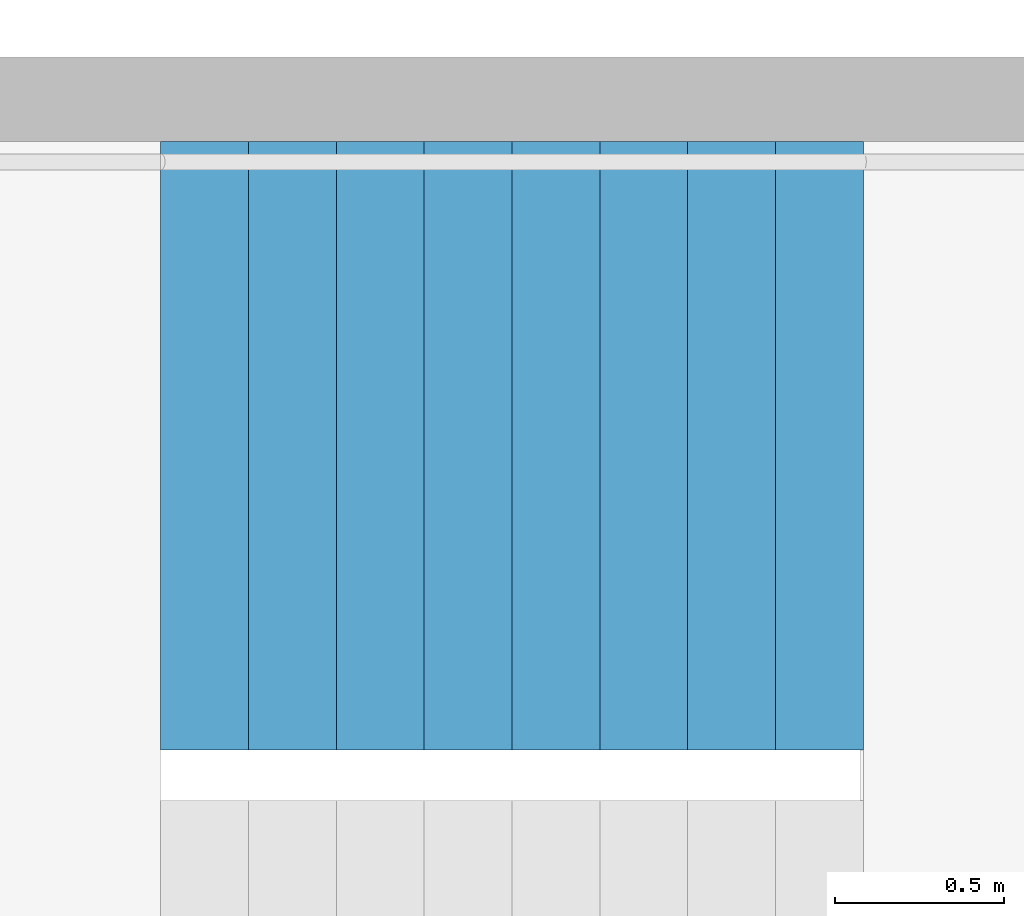
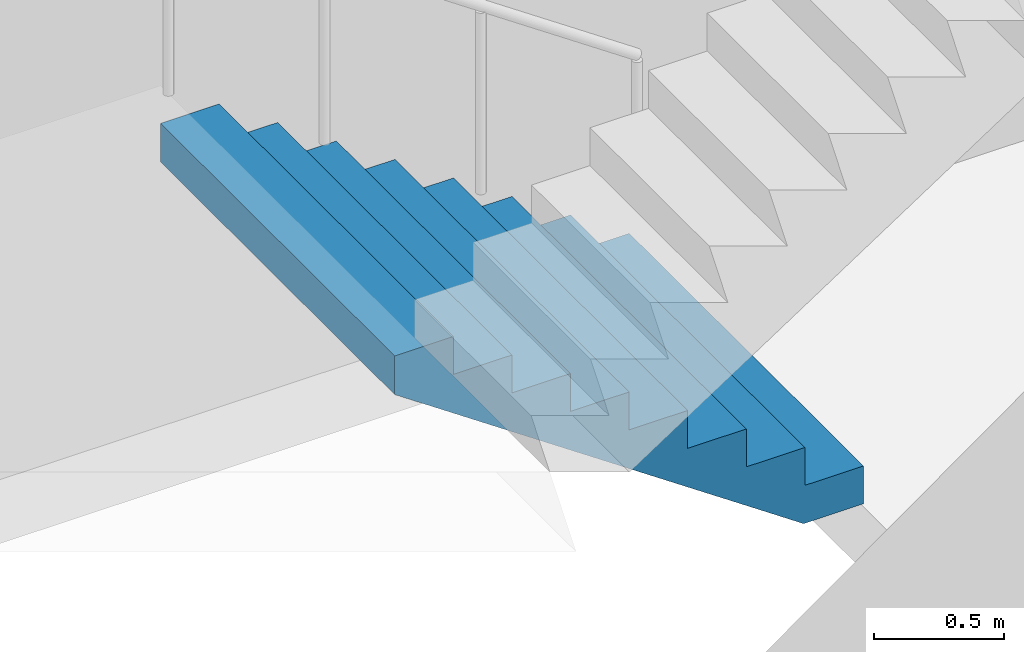
# One storey, part 18 of 42: 1 stair flight, 1 element without a shape of its own.
"""IFC4 building model written with IfcOpenShell, lengths in metres."""

import ifcopenshell
import ifcopenshell.guid

model = None  # the IFC model being written
_history = None  # IfcOwnerHistory: only IFC2X3 demands one
_inside = {}  # id of a spatial element -> (the spatial element, [elements in it])
_under = {}  # id of a project, library or spatial element -> (it, [spatial elements below it])
_declared = {}  # id of a project -> (the project, [libraries it declares])
_typed = {}  # id of a type object -> (the type object, [elements of that type])
_made_of = {}  # id of a material, layer set ... -> (it, [elements and type objects made of it])


def new_model(schema):
    """Start an empty IFC model of exactly this schema.

    Asked for "IFC4X3", IfcOpenShell would pick the latest addendum, in which some entities
    have other attributes; the version numbers below select the first issue.
    IFC2X3 requires an IfcOwnerHistory on every rooted entity: one is made here for all.
    """
    global model, _history
    if schema == "IFC4X3":
        model = ifcopenshell.file(schema_version=(4, 3, 0, 0))
    else:
        model = ifcopenshell.file(schema=schema)
    _inside.clear()
    _under.clear()
    _declared.clear()
    _typed.clear()
    _made_of.clear()
    _history = None
    if model.schema == "IFC2X3":
        org = make("IfcOrganization", Name="unknown")
        user = make(
            "IfcPersonAndOrganization",
            ThePerson=make("IfcPerson", FamilyName="unknown"),
            TheOrganization=org,
        )
        app = make(
            "IfcApplication",
            ApplicationDeveloper=org,
            Version="unknown",
            ApplicationFullName="unknown",
            ApplicationIdentifier="unknown",
        )
        _history = make(
            "IfcOwnerHistory",
            OwningUser=user,
            OwningApplication=app,
            ChangeAction="ADDED",
            CreationDate=0,
        )
    return model


def make(cls, **values):
    """One entity of the class cls with the attributes given. An attribute that is None is left unset."""
    return model.create_entity(
        cls, **{name: value for name, value in values.items() if value is not None}
    )


def rooted(cls, **values):
    """An entity with a GlobalId (a new one), such as an element, a storey or a relation."""
    return make(cls, GlobalId=ifcopenshell.guid.new(), OwnerHistory=_history, **values)


def si_unit(unit_type, name, prefix=None):
    """IfcSIUnit, for example si_unit("LENGTHUNIT", "METRE", prefix="MILLI")."""
    return make("IfcSIUnit", UnitType=unit_type, Prefix=prefix, Name=name)


def assignment(units):
    """IfcUnitAssignment: the units of a project."""
    return None if units is None else make("IfcUnitAssignment", Units=units)


def point(xyz):
    """IfcCartesianPoint."""
    return None if xyz is None else make("IfcCartesianPoint", Coordinates=xyz)


def direction(xyz):
    """IfcDirection."""
    return None if xyz is None else make("IfcDirection", DirectionRatios=xyz)


def frame(location, z_axis=None, x_axis=None):
    """IfcAxis2Placement3D, a coordinate frame: its origin and axes. An axis left out is left unset."""
    return make(
        "IfcAxis2Placement3D",
        Location=point(location),
        Axis=direction(z_axis),
        RefDirection=direction(x_axis),
    )


def origin():
    """The frame at (0, 0, 0) with its axes left unset."""
    return frame((0.0, 0.0, 0.0))


def place(relative_to, where):
    """IfcLocalPlacement: puts the frame where relative to a parent placement (None: the world)."""
    return make(
        "IfcLocalPlacement", PlacementRelTo=relative_to, RelativePlacement=where
    )


def context(
    kind, dimensions, precision=None, world=None, true_north=None, identifier=None
):
    """IfcGeometricRepresentationContext, for example the 3D "Model" context."""
    return make(
        "IfcGeometricRepresentationContext",
        ContextIdentifier=identifier,
        ContextType=kind,
        CoordinateSpaceDimension=dimensions,
        Precision=precision,
        WorldCoordinateSystem=world,
        TrueNorth=true_north,
    )


def subcontext(parent, identifier, kind, view, scale=None):
    """IfcGeometricRepresentationSubContext, for example "Body" below "Model"."""
    return make(
        "IfcGeometricRepresentationSubContext",
        ContextIdentifier=identifier,
        ContextType=kind,
        ParentContext=parent,
        TargetScale=scale,
        TargetView=view,
    )


def project(units=None, contexts=None):
    """IfcProject with its units and contexts."""
    return rooted(
        "IfcProject",
        Name="project",
        RepresentationContexts=contexts,
        UnitsInContext=assignment(units),
    )


def spatial(cls, under=None, at=None, **own):
    """A site, building, storey or space (cls), placed at a placement, below another one or the project."""
    s = rooted(cls, ObjectPlacement=at, **own)
    if under is not None:
        _under.setdefault(under.id(), (under, []))[1].append(s)
    return s


def point_list(points):
    """IfcCartesianPointList2D or 3D."""
    cls = (
        "IfcCartesianPointList2D" if len(points[0]) == 2 else "IfcCartesianPointList3D"
    )
    return make(cls, CoordList=points)


def triangles(points, corners, closed=None, point_numbers=None):
    """IfcTriangulatedFaceSet: each triangle names its three corners, points numbered from 1."""
    return make(
        "IfcTriangulatedFaceSet",
        Coordinates=point_list(points),
        Closed=closed,
        CoordIndex=corners,
        PnIndex=point_numbers,
    )


def shape(context_of_items, identifier, shape_type, items):
    """IfcShapeRepresentation: the items that make up one representation, for example the "Body"."""
    return make(
        "IfcShapeRepresentation",
        ContextOfItems=context_of_items,
        RepresentationIdentifier=identifier,
        RepresentationType=shape_type,
        Items=items,
    )


def material(Name=None, Category=None):
    """IfcMaterial."""
    return make("IfcMaterial", Name=Name, Category=Category)


def made_of(thing, what):
    """Note that an element or type object is made of a material, layer set ...; save() writes the relation."""
    if what is not None:
        _made_of.setdefault(what.id(), (what, []))[1].append(thing)
    return thing


def type_object(cls, material=None, **own):
    """A type object (cls), such as IfcWallType, which elements share."""
    return made_of(rooted(cls, **own), material)


def element(
    cls,
    number,
    at=None,
    inside=None,
    cuts=None,
    type_object=None,
    material=None,
    context=None,
    identifier="Body",
    shape_type=None,
    held_by="IfcProductDefinitionShape",
    body=None,
    shapes=None,
    **own,
):
    """One element of the class cls, such as IfcWall. Its Tag is "e" and its number.

    at: its placement. inside: the storey or other place that contains it. cuts: it is an
    opening in that element (IfcRelVoidsElement). A single representation is given by context,
    identifier, shape_type and body (its items); several are given by shapes. held_by: the class
    of the entity that holds the representations. save() writes the other relations.
    """
    e = rooted(cls, Tag="e%d" % number, ObjectPlacement=at, **own)
    if body is not None:
        shapes = [shape(context, identifier, shape_type, body)]
    if shapes is not None:
        e.Representation = make(held_by, Representations=shapes)
    if inside is not None:
        _inside.setdefault(inside.id(), (inside, []))[1].append(e)
    if cuts is not None:
        rooted(
            "IfcRelVoidsElement", RelatingBuildingElement=cuts, RelatedOpeningElement=e
        )
    if type_object is not None:
        _typed.setdefault(type_object.id(), (type_object, []))[1].append(e)
    return made_of(e, material)


def aggregate(whole, parts):
    """IfcRelAggregates: a whole, such as a stair, and the parts it consists of."""
    return rooted("IfcRelAggregates", RelatingObject=whole, RelatedObjects=parts)


def save(model, path):
    """Write the relations noted so far, then the file.

    IfcRelAggregates (storeys below a building ...), IfcRelContainedInSpatialStructure (elements
    in a storey), IfcRelDefinesByType, IfcRelAssociatesMaterial and IfcRelDeclares: one each for
    every whole, place, type object, material and project.
    """
    for whole, parts in _under.values():
        aggregate(whole, parts)
    for where, things in _inside.values():
        rooted(
            "IfcRelContainedInSpatialStructure",
            RelatedElements=things,
            RelatingStructure=where,
        )
    for kind, things in _typed.values():
        rooted("IfcRelDefinesByType", RelatedObjects=things, RelatingType=kind)
    for what, things in _made_of.values():
        rooted("IfcRelAssociatesMaterial", RelatedObjects=things, RelatingMaterial=what)
    for by, libraries in _declared.values():
        rooted("IfcRelDeclares", RelatingContext=by, RelatedDefinitions=libraries)
    model.write(path)


model = new_model("IFC4")

# Units and contexts
model_context = context("Model", 3, precision=1e-05, world=origin(), true_north=direction((0.0, 1.0)))
body_context = subcontext(model_context, "Body", "Model", "MODEL_VIEW")
ifc_project = project(units=[si_unit("LENGTHUNIT", "METRE"), si_unit("AREAUNIT", "SQUARE_METRE"), si_unit("VOLUMEUNIT", "CUBIC_METRE"), si_unit("PLANEANGLEUNIT", "RADIAN"), si_unit("MASSUNIT", "GRAM", prefix="KILO")], contexts=[model_context])

# Site, building, storey
site_placement = place(None, origin())
site = spatial("IfcSite", under=ifc_project, at=site_placement, CompositionType="ELEMENT")
building_placement = place(site_placement, origin())
building = spatial("IfcBuilding", under=site, at=building_placement, Name="Hakoniwa Tower and Hamabe Station Hall", CompositionType="ELEMENT")
storey_placement = place(building_placement, frame((0.0, 0.0, 232.60009765625)))
storey = spatial("IfcBuildingStorey", under=building, at=storey_placement, Name="L66", CompositionType="ELEMENT", Elevation=232.60009765625)

# Stair, stair flight
ifc_material_1 = material(Name="Concrete C40", Category="concrete")
stair_type = type_object("IfcStairType", Name="ESCAPE STAIR 1800", PredefinedType="HALF_TURN_STAIR", material=ifc_material_1)
stair_placement = place(storey_placement, origin())
stair = element("IfcStair", 1, at=stair_placement, inside=storey, type_object=stair_type, Name="Escape stair ST-2 L66", PredefinedType="HALF_TURN_STAIR")
ifc_material_2 = material(Name="Concrete C40", Category="concrete")
stair_flight_type = type_object("IfcStairFlightType", Name="STAIR FLIGHT 1800", PredefinedType="STRAIGHT", material=ifc_material_2)
stair_flight_placement = place(storey_placement, frame((-23.39990234375, -4.64990234375, 0.0), z_axis=(0.0, 0.0, 1.0), x_axis=(-1.0, 0.0, 0.0)))
stair_flight = element("IfcStairFlight", 2, at=stair_flight_placement, type_object=stair_flight_type, Name="ST-2 flight 1", NumberOfRisers=9, NumberOfTreads=8, PredefinedType="STRAIGHT", RiserHeight=0.177777778, TreadLength=0.26, context=body_context, shape_type="Tessellation", body=[
    triangles([(0.0, 0.89990234375, 0.0), (0.260009765625, 0.89990234375, 0.0), (0.265625, 0.89990234375, 0.0), (0.52001953125, 0.89990234375, 0.174072265625), (0.780029296875, 0.89990234375, 0.351806640625), (1.0400390625, 0.89990234375, 0.529541015625), (1.300048828125, 0.89990234375, 0.707275390625), (1.56005859375, 0.89990234375, 0.885009765625), (1.820068359375, 0.89990234375, 1.062744140625), (2.080078125, 0.89990234375, 1.24072265625), (2.080078125, 0.89990234375, 1.422119140625), (1.820068359375, 0.89990234375, 1.422119140625), (1.820068359375, 0.89990234375, 1.244384765625), (1.56005859375, 0.89990234375, 1.244384765625), (1.56005859375, 0.89990234375, 1.066650390625), (1.300048828125, 0.89990234375, 1.066650390625), (1.300048828125, 0.89990234375, 0.888916015625), (1.0400390625, 0.89990234375, 0.888916015625), (1.0400390625, 0.89990234375, 0.711181640625), (0.780029296875, 0.89990234375, 0.711181640625), (0.780029296875, 0.89990234375, 0.533447265625), (0.52001953125, 0.89990234375, 0.533447265625), (0.52001953125, 0.89990234375, 0.35546875), (0.265625, 0.89990234375, 0.35546875), (0.260009765625, 0.89990234375, 0.35546875), (0.260009765625, 0.89990234375, 0.177734375), (0.0, 0.89990234375, 0.177734375), (0.0, 0.06005859375, 0.0), (0.260009765625, 0.06005859375, 0.0), (0.265625, 0.06005859375, 0.0), (0.52001953125, 0.06005859375, 0.174072265625), (0.780029296875, 0.06005859375, 0.351806640625), (1.0400390625, 0.06005859375, 0.529541015625), (1.300048828125, 0.06005859375, 0.707275390625), (1.56005859375, 0.06005859375, 0.885009765625), (1.820068359375, 0.06005859375, 1.062744140625), (2.080078125, 0.06005859375, 1.24072265625), (2.080078125, 0.06005859375, 1.422119140625), (1.820068359375, 0.06005859375, 1.422119140625), (1.820068359375, 0.06005859375, 1.244384765625), (1.56005859375, 0.06005859375, 1.244384765625), (1.56005859375, 0.06005859375, 1.066650390625), (1.300048828125, 0.06005859375, 1.066650390625), (1.300048828125, 0.06005859375, 0.888916015625), (1.0400390625, 0.06005859375, 0.888916015625), (1.0400390625, 0.06005859375, 0.711181640625), (0.780029296875, 0.06005859375, 0.711181640625), (0.780029296875, 0.06005859375, 0.533447265625), (0.52001953125, 0.06005859375, 0.533447265625), (0.52001953125, 0.06005859375, 0.35546875), (0.265625, 0.06005859375, 0.35546875), (0.260009765625, 0.06005859375, 0.35546875), (0.260009765625, 0.06005859375, 0.177734375), (0.0, 0.06005859375, 0.177734375), (0.0, 0.04296875, 0.0), (0.260009765625, 0.04296875, 0.0), (0.265625, 0.04296875, 0.0), (0.52001953125, 0.04296875, 0.174072265625), (0.780029296875, 0.04296875, 0.351806640625), (1.0400390625, 0.04296875, 0.529541015625), (1.300048828125, 0.04296875, 0.707275390625), (1.56005859375, 0.04296875, 0.885009765625), (1.820068359375, 0.04296875, 1.062744140625), (2.080078125, 0.04296875, 1.24072265625), (2.080078125, 0.04296875, 1.422119140625), (1.820068359375, 0.04296875, 1.422119140625), (1.820068359375, 0.04296875, 1.244384765625), (1.56005859375, 0.04296875, 1.244384765625), (1.56005859375, 0.04296875, 1.066650390625), (1.300048828125, 0.04296875, 1.066650390625), (1.300048828125, 0.04296875, 0.888916015625), (1.0400390625, 0.04296875, 0.888916015625), (1.0400390625, 0.04296875, 0.711181640625), (0.780029296875, 0.04296875, 0.711181640625), (0.780029296875, 0.04296875, 0.533447265625), (0.52001953125, 0.04296875, 0.533447265625), (0.52001953125, 0.04296875, 0.35546875), (0.265625, 0.04296875, 0.35546875), (0.260009765625, 0.04296875, 0.35546875), (0.260009765625, 0.04296875, 0.177734375), (0.0, 0.04296875, 0.177734375), (0.0, 0.025634765625, 0.0), (0.260009765625, 0.025634765625, 0.0), (0.265625, 0.025634765625, 0.0), (0.52001953125, 0.025634765625, 0.174072265625), (0.780029296875, 0.025634765625, 0.351806640625), (1.0400390625, 0.025634765625, 0.529541015625), (1.300048828125, 0.025634765625, 0.707275390625), (1.56005859375, 0.025634765625, 0.885009765625), (1.820068359375, 0.025634765625, 1.062744140625), (2.080078125, 0.025634765625, 1.24072265625), (2.080078125, 0.025634765625, 1.422119140625), (1.820068359375, 0.025634765625, 1.422119140625), (1.820068359375, 0.025634765625, 1.244384765625), (1.56005859375, 0.025634765625, 1.244384765625), (1.56005859375, 0.025634765625, 1.066650390625), (1.300048828125, 0.025634765625, 1.066650390625), (1.300048828125, 0.025634765625, 0.888916015625), (1.0400390625, 0.025634765625, 0.888916015625), (1.0400390625, 0.025634765625, 0.711181640625), (0.780029296875, 0.025634765625, 0.711181640625), (0.780029296875, 0.025634765625, 0.533447265625), (0.52001953125, 0.025634765625, 0.533447265625), (0.52001953125, 0.025634765625, 0.35546875), (0.265625, 0.025634765625, 0.35546875), (0.260009765625, 0.025634765625, 0.35546875), (0.260009765625, 0.025634765625, 0.177734375), (0.0, 0.025634765625, 0.177734375), (0.0, 0.008544921875, 0.0), (0.260009765625, 0.008544921875, 0.0), (0.265625, 0.008544921875, 0.0), (0.52001953125, 0.008544921875, 0.174072265625), (0.780029296875, 0.008544921875, 0.351806640625), (1.0400390625, 0.008544921875, 0.529541015625), (1.300048828125, 0.008544921875, 0.707275390625), (1.56005859375, 0.008544921875, 0.885009765625), (1.820068359375, 0.008544921875, 1.062744140625), (2.080078125, 0.008544921875, 1.24072265625), (2.080078125, 0.008544921875, 1.422119140625), (1.820068359375, 0.008544921875, 1.422119140625), (1.820068359375, 0.008544921875, 1.244384765625), (1.56005859375, 0.008544921875, 1.244384765625), (1.56005859375, 0.008544921875, 1.066650390625), (1.300048828125, 0.008544921875, 1.066650390625), (1.300048828125, 0.008544921875, 0.888916015625), (1.0400390625, 0.008544921875, 0.888916015625), (1.0400390625, 0.008544921875, 0.711181640625), (0.780029296875, 0.008544921875, 0.711181640625), (0.780029296875, 0.008544921875, 0.533447265625), (0.52001953125, 0.008544921875, 0.533447265625), (0.52001953125, 0.008544921875, 0.35546875), (0.265625, 0.008544921875, 0.35546875), (0.260009765625, 0.008544921875, 0.35546875), (0.260009765625, 0.008544921875, 0.177734375), (0.0, 0.008544921875, 0.177734375), (0.0, -0.008544921875, 0.0), (0.260009765625, -0.008544921875, 0.0), (0.265625, -0.008544921875, 0.0), (0.52001953125, -0.008544921875, 0.174072265625), (0.780029296875, -0.008544921875, 0.351806640625), (1.0400390625, -0.008544921875, 0.529541015625), (1.300048828125, -0.008544921875, 0.707275390625), (1.56005859375, -0.008544921875, 0.885009765625), (1.820068359375, -0.008544921875, 1.062744140625), (2.080078125, -0.008544921875, 1.24072265625), (2.080078125, -0.008544921875, 1.422119140625), (1.820068359375, -0.008544921875, 1.422119140625), (1.820068359375, -0.008544921875, 1.244384765625), (1.56005859375, -0.008544921875, 1.244384765625), (1.56005859375, -0.008544921875, 1.066650390625), (1.300048828125, -0.008544921875, 1.066650390625), (1.300048828125, -0.008544921875, 0.888916015625), (1.0400390625, -0.008544921875, 0.888916015625), (1.0400390625, -0.008544921875, 0.711181640625), (0.780029296875, -0.008544921875, 0.711181640625), (0.780029296875, -0.008544921875, 0.533447265625), (0.52001953125, -0.008544921875, 0.533447265625), (0.52001953125, -0.008544921875, 0.35546875), (0.265625, -0.008544921875, 0.35546875), (0.260009765625, -0.008544921875, 0.35546875), (0.260009765625, -0.008544921875, 0.177734375), (0.0, -0.008544921875, 0.177734375), (0.0, -0.025634765625, 0.0), (0.260009765625, -0.025634765625, 0.0), (0.265625, -0.025634765625, 0.0), (0.52001953125, -0.025634765625, 0.174072265625), (0.780029296875, -0.025634765625, 0.351806640625), (1.0400390625, -0.025634765625, 0.529541015625), (1.300048828125, -0.025634765625, 0.707275390625), (1.56005859375, -0.025634765625, 0.885009765625), (1.820068359375, -0.025634765625, 1.062744140625), (2.080078125, -0.025634765625, 1.24072265625), (2.080078125, -0.025634765625, 1.422119140625), (1.820068359375, -0.025634765625, 1.422119140625), (1.820068359375, -0.025634765625, 1.244384765625), (1.56005859375, -0.025634765625, 1.244384765625), (1.56005859375, -0.025634765625, 1.066650390625), (1.300048828125, -0.025634765625, 1.066650390625), (1.300048828125, -0.025634765625, 0.888916015625), (1.0400390625, -0.025634765625, 0.888916015625), (1.0400390625, -0.025634765625, 0.711181640625), (0.780029296875, -0.025634765625, 0.711181640625), (0.780029296875, -0.025634765625, 0.533447265625), (0.52001953125, -0.025634765625, 0.533447265625), (0.52001953125, -0.025634765625, 0.35546875), (0.265625, -0.025634765625, 0.35546875), (0.260009765625, -0.025634765625, 0.35546875), (0.260009765625, -0.025634765625, 0.177734375), (0.0, -0.025634765625, 0.177734375), (0.0, -0.04296875, 0.0), (0.260009765625, -0.04296875, 0.0), (0.265625, -0.04296875, 0.0), (0.52001953125, -0.04296875, 0.174072265625), (0.780029296875, -0.04296875, 0.351806640625), (1.0400390625, -0.04296875, 0.529541015625), (1.300048828125, -0.04296875, 0.707275390625), (1.56005859375, -0.04296875, 0.885009765625), (1.820068359375, -0.04296875, 1.062744140625), (2.080078125, -0.04296875, 1.24072265625), (2.080078125, -0.04296875, 1.422119140625), (1.820068359375, -0.04296875, 1.422119140625), (1.820068359375, -0.04296875, 1.244384765625), (1.56005859375, -0.04296875, 1.244384765625), (1.56005859375, -0.04296875, 1.066650390625), (1.300048828125, -0.04296875, 1.066650390625), (1.300048828125, -0.04296875, 0.888916015625), (1.0400390625, -0.04296875, 0.888916015625), (1.0400390625, -0.04296875, 0.711181640625), (0.780029296875, -0.04296875, 0.711181640625), (0.780029296875, -0.04296875, 0.533447265625), (0.52001953125, -0.04296875, 0.533447265625), (0.52001953125, -0.04296875, 0.35546875), (0.265625, -0.04296875, 0.35546875), (0.260009765625, -0.04296875, 0.35546875), (0.260009765625, -0.04296875, 0.177734375), (0.0, -0.04296875, 0.177734375), (0.0, -0.06005859375, 0.0), (0.260009765625, -0.06005859375, 0.0), (0.265625, -0.06005859375, 0.0), (0.52001953125, -0.06005859375, 0.174072265625), (0.780029296875, -0.06005859375, 0.351806640625), (1.0400390625, -0.06005859375, 0.529541015625), (1.300048828125, -0.06005859375, 0.707275390625), (1.56005859375, -0.06005859375, 0.885009765625), (1.820068359375, -0.06005859375, 1.062744140625), (2.080078125, -0.06005859375, 1.24072265625), (2.080078125, -0.06005859375, 1.422119140625), (1.820068359375, -0.06005859375, 1.422119140625), (1.820068359375, -0.06005859375, 1.244384765625), (1.56005859375, -0.06005859375, 1.244384765625), (1.56005859375, -0.06005859375, 1.066650390625), (1.300048828125, -0.06005859375, 1.066650390625), (1.300048828125, -0.06005859375, 0.888916015625), (1.0400390625, -0.06005859375, 0.888916015625), (1.0400390625, -0.06005859375, 0.711181640625), (0.780029296875, -0.06005859375, 0.711181640625), (0.780029296875, -0.06005859375, 0.533447265625), (0.52001953125, -0.06005859375, 0.533447265625), (0.52001953125, -0.06005859375, 0.35546875), (0.265625, -0.06005859375, 0.35546875), (0.260009765625, -0.06005859375, 0.35546875), (0.260009765625, -0.06005859375, 0.177734375), (0.0, -0.06005859375, 0.177734375), (0.0, -0.89990234375, 0.0), (0.260009765625, -0.89990234375, 0.0), (0.265625, -0.89990234375, 0.0), (0.52001953125, -0.89990234375, 0.174072265625), (0.780029296875, -0.89990234375, 0.351806640625), (1.0400390625, -0.89990234375, 0.529541015625), (1.300048828125, -0.89990234375, 0.707275390625), (1.56005859375, -0.89990234375, 0.885009765625), (1.820068359375, -0.89990234375, 1.062744140625), (2.080078125, -0.89990234375, 1.24072265625), (2.080078125, -0.89990234375, 1.422119140625), (1.820068359375, -0.89990234375, 1.422119140625), (1.820068359375, -0.89990234375, 1.244384765625), (1.56005859375, -0.89990234375, 1.244384765625), (1.56005859375, -0.89990234375, 1.066650390625), (1.300048828125, -0.89990234375, 1.066650390625), (1.300048828125, -0.89990234375, 0.888916015625), (1.0400390625, -0.89990234375, 0.888916015625), (1.0400390625, -0.89990234375, 0.711181640625), (0.780029296875, -0.89990234375, 0.711181640625), (0.780029296875, -0.89990234375, 0.533447265625), (0.52001953125, -0.89990234375, 0.533447265625), (0.52001953125, -0.89990234375, 0.35546875), (0.265625, -0.89990234375, 0.35546875), (0.260009765625, -0.89990234375, 0.35546875), (0.260009765625, -0.89990234375, 0.177734375), (0.0, -0.89990234375, 0.177734375)], [[2, 27, 26], [245, 269, 270], [2, 1, 27], [245, 270, 244], [3, 25, 24], [246, 267, 268], [3, 26, 25], [246, 268, 269], [3, 2, 26], [246, 269, 245], [4, 24, 23], [247, 266, 267], [4, 3, 24], [247, 267, 246], [5, 22, 21], [248, 264, 265], [5, 23, 22], [248, 265, 266], [5, 4, 23], [248, 266, 247], [6, 20, 19], [249, 262, 263], [6, 21, 20], [249, 263, 264], [6, 5, 21], [249, 264, 248], [7, 18, 17], [250, 260, 261], [7, 19, 18], [250, 261, 262], [7, 6, 19], [250, 262, 249], [8, 16, 15], [251, 258, 259], [8, 17, 16], [251, 259, 260], [8, 7, 17], [251, 260, 250], [9, 14, 13], [252, 256, 257], [9, 15, 14], [252, 257, 258], [9, 8, 15], [252, 258, 251], [10, 12, 11], [253, 254, 255], [10, 13, 12], [253, 255, 256], [10, 9, 13], [253, 256, 252], [1, 2, 29], [1, 29, 28], [28, 29, 56], [28, 56, 55], [55, 56, 83], [55, 83, 82], [82, 83, 110], [82, 110, 109], [109, 110, 137], [109, 137, 136], [136, 137, 164], [136, 164, 163], [163, 164, 191], [163, 191, 190], [190, 191, 218], [190, 218, 217], [217, 218, 245], [217, 245, 244], [2, 3, 30], [2, 30, 29], [29, 30, 57], [29, 57, 56], [56, 57, 84], [56, 84, 83], [83, 84, 111], [83, 111, 110], [110, 111, 138], [110, 138, 137], [137, 138, 165], [137, 165, 164], [164, 165, 192], [164, 192, 191], [191, 192, 219], [191, 219, 218], [218, 219, 246], [218, 246, 245], [3, 4, 31], [3, 31, 30], [30, 31, 58], [30, 58, 57], [57, 58, 85], [57, 85, 84], [84, 85, 112], [84, 112, 111], [111, 112, 139], [111, 139, 138], [138, 139, 166], [138, 166, 165], [165, 166, 193], [165, 193, 192], [192, 193, 220], [192, 220, 219], [219, 220, 247], [219, 247, 246], [4, 5, 32], [4, 32, 31], [31, 32, 59], [31, 59, 58], [58, 59, 86], [58, 86, 85], [85, 86, 113], [85, 113, 112], [112, 113, 140], [112, 140, 139], [139, 140, 167], [139, 167, 166], [166, 167, 194], [166, 194, 193], [193, 194, 221], [193, 221, 220], [220, 221, 248], [220, 248, 247], [5, 6, 33], [5, 33, 32], [32, 33, 60], [32, 60, 59], [59, 60, 87], [59, 87, 86], [86, 87, 114], [86, 114, 113], [113, 114, 141], [113, 141, 140], [140, 141, 168], [140, 168, 167], [167, 168, 195], [167, 195, 194], [194, 195, 222], [194, 222, 221], [221, 222, 249], [221, 249, 248], [6, 7, 34], [6, 34, 33], [33, 34, 61], [33, 61, 60], [60, 61, 88], [60, 88, 87], [87, 88, 115], [87, 115, 114], [114, 115, 142], [114, 142, 141], [141, 142, 169], [141, 169, 168], [168, 169, 196], [168, 196, 195], [195, 196, 223], [195, 223, 222], [222, 223, 250], [222, 250, 249], [7, 8, 35], [7, 35, 34], [34, 35, 62], [34, 62, 61], [61, 62, 89], [61, 89, 88], [88, 89, 116], [88, 116, 115], [115, 116, 143], [115, 143, 142], [142, 143, 170], [142, 170, 169], [169, 170, 197], [169, 197, 196], [196, 197, 224], [196, 224, 223], [223, 224, 251], [223, 251, 250], [8, 9, 36], [8, 36, 35], [35, 36, 63], [35, 63, 62], [62, 63, 90], [62, 90, 89], [89, 90, 117], [89, 117, 116], [116, 117, 144], [116, 144, 143], [143, 144, 171], [143, 171, 170], [170, 171, 198], [170, 198, 197], [197, 198, 225], [197, 225, 224], [224, 225, 252], [224, 252, 251], [9, 10, 37], [9, 37, 36], [36, 37, 64], [36, 64, 63], [63, 64, 91], [63, 91, 90], [90, 91, 118], [90, 118, 117], [117, 118, 145], [117, 145, 144], [144, 145, 172], [144, 172, 171], [171, 172, 199], [171, 199, 198], [198, 199, 226], [198, 226, 225], [225, 226, 253], [225, 253, 252], [10, 11, 38], [10, 38, 37], [37, 38, 65], [37, 65, 64], [64, 65, 92], [64, 92, 91], [91, 92, 119], [91, 119, 118], [118, 119, 146], [118, 146, 145], [145, 146, 173], [145, 173, 172], [172, 173, 200], [172, 200, 199], [199, 200, 227], [199, 227, 226], [226, 227, 254], [226, 254, 253], [11, 12, 39], [11, 39, 38], [38, 39, 66], [38, 66, 65], [65, 66, 93], [65, 93, 92], [92, 93, 120], [92, 120, 119], [119, 120, 147], [119, 147, 146], [146, 147, 174], [146, 174, 173], [173, 174, 201], [173, 201, 200], [200, 201, 228], [200, 228, 227], [227, 228, 255], [227, 255, 254], [12, 13, 40], [12, 40, 39], [39, 40, 67], [39, 67, 66], [66, 67, 94], [66, 94, 93], [93, 94, 121], [93, 121, 120], [120, 121, 148], [120, 148, 147], [147, 148, 175], [147, 175, 174], [174, 175, 202], [174, 202, 201], [201, 202, 229], [201, 229, 228], [228, 229, 256], [228, 256, 255], [13, 14, 41], [13, 41, 40], [40, 41, 68], [40, 68, 67], [67, 68, 95], [67, 95, 94], [94, 95, 122], [94, 122, 121], [121, 122, 149], [121, 149, 148], [148, 149, 176], [148, 176, 175], [175, 176, 203], [175, 203, 202], [202, 203, 230], [202, 230, 229], [229, 230, 257], [229, 257, 256], [14, 15, 42], [14, 42, 41], [41, 42, 69], [41, 69, 68], [68, 69, 96], [68, 96, 95], [95, 96, 123], [95, 123, 122], [122, 123, 150], [122, 150, 149], [149, 150, 177], [149, 177, 176], [176, 177, 204], [176, 204, 203], [203, 204, 231], [203, 231, 230], [230, 231, 258], [230, 258, 257], [15, 16, 43], [15, 43, 42], [42, 43, 70], [42, 70, 69], [69, 70, 97], [69, 97, 96], [96, 97, 124], [96, 124, 123], [123, 124, 151], [123, 151, 150], [150, 151, 178], [150, 178, 177], [177, 178, 205], [177, 205, 204], [204, 205, 232], [204, 232, 231], [231, 232, 259], [231, 259, 258], [16, 17, 44], [16, 44, 43], [43, 44, 71], [43, 71, 70], [70, 71, 98], [70, 98, 97], [97, 98, 125], [97, 125, 124], [124, 125, 152], [124, 152, 151], [151, 152, 179], [151, 179, 178], [178, 179, 206], [178, 206, 205], [205, 206, 233], [205, 233, 232], [232, 233, 260], [232, 260, 259], [17, 18, 45], [17, 45, 44], [44, 45, 72], [44, 72, 71], [71, 72, 99], [71, 99, 98], [98, 99, 126], [98, 126, 125], [125, 126, 153], [125, 153, 152], [152, 153, 180], [152, 180, 179], [179, 180, 207], [179, 207, 206], [206, 207, 234], [206, 234, 233], [233, 234, 261], [233, 261, 260], [18, 19, 46], [18, 46, 45], [45, 46, 73], [45, 73, 72], [72, 73, 100], [72, 100, 99], [99, 100, 127], [99, 127, 126], [126, 127, 154], [126, 154, 153], [153, 154, 181], [153, 181, 180], [180, 181, 208], [180, 208, 207], [207, 208, 235], [207, 235, 234], [234, 235, 262], [234, 262, 261], [19, 20, 47], [19, 47, 46], [46, 47, 74], [46, 74, 73], [73, 74, 101], [73, 101, 100], [100, 101, 128], [100, 128, 127], [127, 128, 155], [127, 155, 154], [154, 155, 182], [154, 182, 181], [181, 182, 209], [181, 209, 208], [208, 209, 236], [208, 236, 235], [235, 236, 263], [235, 263, 262], [20, 21, 48], [20, 48, 47], [47, 48, 75], [47, 75, 74], [74, 75, 102], [74, 102, 101], [101, 102, 129], [101, 129, 128], [128, 129, 156], [128, 156, 155], [155, 156, 183], [155, 183, 182], [182, 183, 210], [182, 210, 209], [209, 210, 237], [209, 237, 236], [236, 237, 264], [236, 264, 263], [21, 22, 49], [21, 49, 48], [48, 49, 76], [48, 76, 75], [75, 76, 103], [75, 103, 102], [102, 103, 130], [102, 130, 129], [129, 130, 157], [129, 157, 156], [156, 157, 184], [156, 184, 183], [183, 184, 211], [183, 211, 210], [210, 211, 238], [210, 238, 237], [237, 238, 265], [237, 265, 264], [22, 23, 50], [22, 50, 49], [49, 50, 77], [49, 77, 76], [76, 77, 104], [76, 104, 103], [103, 104, 131], [103, 131, 130], [130, 131, 158], [130, 158, 157], [157, 158, 185], [157, 185, 184], [184, 185, 212], [184, 212, 211], [211, 212, 239], [211, 239, 238], [238, 239, 266], [238, 266, 265], [23, 24, 51], [23, 51, 50], [50, 51, 78], [50, 78, 77], [77, 78, 105], [77, 105, 104], [104, 105, 132], [104, 132, 131], [131, 132, 159], [131, 159, 158], [158, 159, 186], [158, 186, 185], [185, 186, 213], [185, 213, 212], [212, 213, 240], [212, 240, 239], [239, 240, 267], [239, 267, 266], [24, 25, 52], [24, 52, 51], [51, 52, 79], [51, 79, 78], [78, 79, 106], [78, 106, 105], [105, 106, 133], [105, 133, 132], [132, 133, 160], [132, 160, 159], [159, 160, 187], [159, 187, 186], [186, 187, 214], [186, 214, 213], [213, 214, 241], [213, 241, 240], [240, 241, 268], [240, 268, 267], [25, 26, 53], [25, 53, 52], [52, 53, 80], [52, 80, 79], [79, 80, 107], [79, 107, 106], [106, 107, 134], [106, 134, 133], [133, 134, 161], [133, 161, 160], [160, 161, 188], [160, 188, 187], [187, 188, 215], [187, 215, 214], [214, 215, 242], [214, 242, 241], [241, 242, 269], [241, 269, 268], [26, 27, 54], [26, 54, 53], [53, 54, 81], [53, 81, 80], [80, 81, 108], [80, 108, 107], [107, 108, 135], [107, 135, 134], [134, 135, 162], [134, 162, 161], [161, 162, 189], [161, 189, 188], [188, 189, 216], [188, 216, 215], [215, 216, 243], [215, 243, 242], [242, 243, 270], [242, 270, 269], [27, 1, 28], [27, 28, 54], [54, 28, 55], [54, 55, 81], [81, 55, 82], [81, 82, 108], [108, 82, 109], [108, 109, 135], [135, 109, 136], [135, 136, 162], [162, 136, 163], [162, 163, 189], [189, 163, 190], [189, 190, 216], [216, 190, 217], [216, 217, 243], [243, 217, 244], [243, 244, 270]], closed=True),
])
aggregate(stair, [stair_flight])

save(model, "model.ifc")
